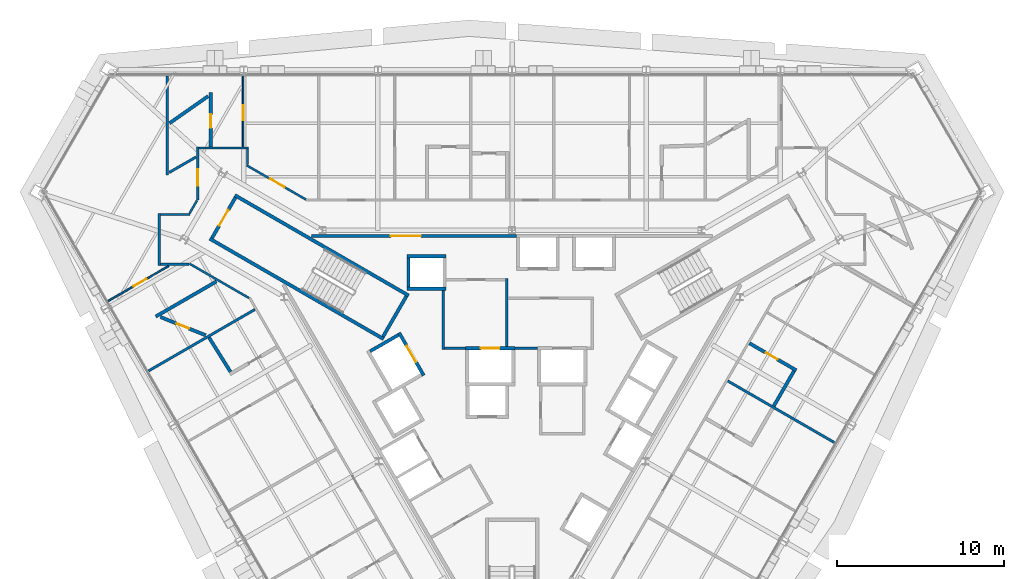
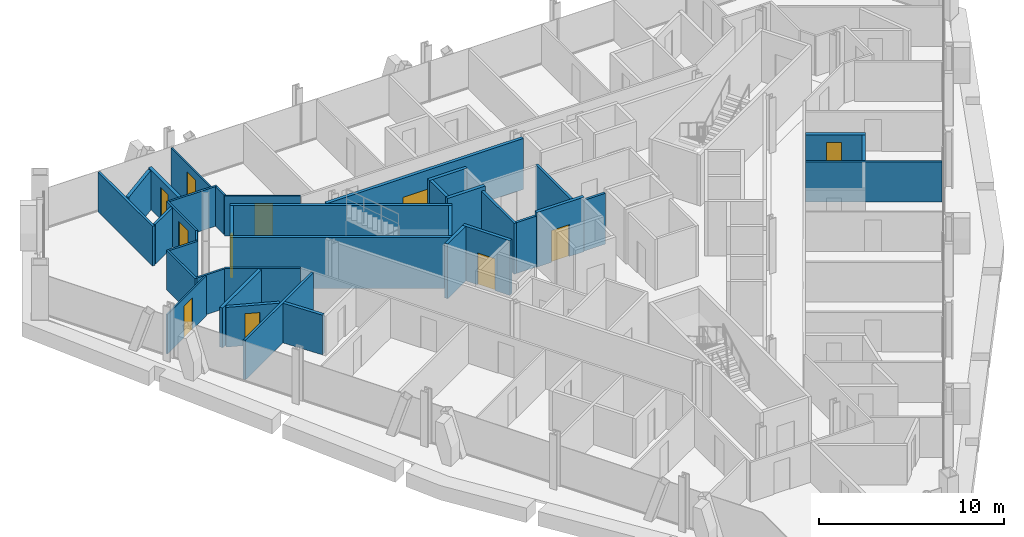
# One storey, part 12 of 16: 37 walls, 11 doors, 11 openings.
"""IFC4 building model written with IfcOpenShell, lengths in metres."""

from ifc_helpers import new_model, si_unit, direction, frame, frame_2d, origin, place, context, subcontext, project, spatial, rectangle, extrude, material, layer, layer_set, type_object, element, fill, save


model = new_model("IFC4")

# Units and contexts
model_context = context("Model", 3, precision=1e-05, world=origin(), true_north=direction((0.0, 1.0)))
body_context = subcontext(model_context, "Body", "Model", "MODEL_VIEW")
ifc_project = project(units=[si_unit("LENGTHUNIT", "METRE"), si_unit("AREAUNIT", "SQUARE_METRE"), si_unit("VOLUMEUNIT", "CUBIC_METRE"), si_unit("PLANEANGLEUNIT", "RADIAN"), si_unit("MASSUNIT", "GRAM", prefix="KILO")], contexts=[model_context])

# Site, building, storey
site_placement = place(None, origin())
site = spatial("IfcSite", under=ifc_project, at=site_placement, CompositionType="ELEMENT")
building_placement = place(site_placement, origin())
building = spatial("IfcBuilding", under=site, at=building_placement, Name="Verrane Prism Tower", CompositionType="ELEMENT")
storey_placement = place(building_placement, frame((0.0, 0.0, 110.800048828125)))
storey = spatial("IfcBuildingStorey", under=building, at=storey_placement, Name="L26", CompositionType="ELEMENT", Elevation=110.800048828125)

# Wall, opening, door
ifc_material_1 = material(Name="Gypsum board partition", Category="other")
ifc_layer_1 = layer(ifc_material_1, 0.199951171875)
ifc_layer_set_1 = layer_set([ifc_layer_1], Name="CW-200 core boundary wall 2 h")
wall_type_1 = type_object("IfcWallType", Name="CW-200 core boundary wall 2 h", PredefinedType="PARTITIONING", material=ifc_layer_set_1)
wall_1_placement = place(storey_placement, frame((0.262939453125, 8.860107421875, 0.0), z_axis=(0.0, 0.0, 1.0), x_axis=(-1.0, 0.0, 0.0)))
wall_1 = element("IfcWall", 1, at=wall_1_placement, inside=storey, type_object=wall_type_1, Name="Core boundary wall CW3-002", PredefinedType="PARTITIONING", context=body_context, shape_type="SweptSolid", body=[
    extrude(rectangle(XDim=12.25390625, YDim=0.199951171875, at=frame_2d((6.126953125, 0.0))), origin(), (0.0, 0.0, 1.0), 3.349853515625),
])
opening_1_placement = place(wall_1_placement, frame((5.708984375, 0.0, 0.0)))
opening_1 = element("IfcOpeningElement", 2, at=opening_1_placement, cuts=wall_1, Name="Opening D24511", PredefinedType="OPENING", context=body_context, shape_type="SweptSolid", body=[
    extrude(rectangle(XDim=1.800048828125, YDim=2.10009765625, at=frame_2d((0.89990234375, 1.050048828125))), frame((0.0, 0.10986328125, 0.0), z_axis=(0.0, -1.0, 0.0), x_axis=(1.0, 0.0, 0.0)), (0.0, 0.0, 1.0), 0.219970703125),
])
ifc_material_2 = material(Name="Timber veneered door leaf", Category="wood")
door_type_1 = type_object("IfcDoorType", Name="DR-1800x2100 FD60 double leaf lift lobby", OperationType="NOTDEFINED", PredefinedType="DOOR", material=ifc_material_2)
door_1_placement = place(opening_1_placement, origin())
door_1 = element("IfcDoor", 3, at=door_1_placement, inside=storey, type_object=door_type_1, Name="Lift lobby door D24511", OperationType="DOUBLE_DOOR_SINGLE_SWING", OverallHeight=2.10009765625, OverallWidth=1.800048828125, PredefinedType="DOOR", context=body_context, shape_type="SweptSolid", body=[
    extrude(rectangle(XDim=1.800048828125, YDim=2.10009765625, at=frame_2d((0.89990234375, 1.050048828125))), frame((0.0, 0.02490234375, 0.0), z_axis=(0.0, -1.0, 0.0), x_axis=(1.0, 0.0, 0.0)), (0.0, 0.0, 1.0), 0.050048828125),
])
fill(opening_1, door_1)

ifc_material_3 = material(Name="Concrete C40/50", Category="concrete")
ifc_layer_2 = layer(ifc_material_3, 0.199951171875)
ifc_layer_set_2 = layer_set([ifc_layer_2], Name="CW-200 stair core wall concrete C40/50 3 h")
wall_type_2 = type_object("IfcWallType", Name="CW-200 stair core wall concrete C40/50 3 h", PredefinedType="PARTITIONING", material=ifc_layer_set_2)
wall_2_placement = place(storey_placement, frame((-16.533935546875, 11.162353515625, 0.0), z_axis=(0.0, 0.0, 1.0), x_axis=(-0.49998411664, -0.866034573852, 0.0)))
wall_2 = element("IfcWall", 4, at=wall_2_placement, inside=storey, type_object=wall_type_2, Name="Stair 2 enclosure wall", PredefinedType="PARTITIONING", context=body_context, shape_type="SweptSolid", body=[
    extrude(rectangle(XDim=2.7998046875, YDim=0.199951171875, at=frame_2d((1.39990234375, 0.0))), origin(), (0.0, 0.0, 1.0), 3.349853515625),
])
opening_2_placement = place(wall_2_placement, frame((0.849853515625, 0.0, 0.0)))
opening_2 = element("IfcOpeningElement", 5, at=opening_2_placement, cuts=wall_2, Name="Opening D24501", PredefinedType="OPENING", context=body_context, shape_type="SweptSolid", body=[
    extrude(rectangle(XDim=1.10009765625, YDim=2.10009765625, at=frame_2d((0.550048828125, 1.050048828125))), frame((0.0, 0.10986328125, 0.0), z_axis=(0.0, -1.0, 0.0), x_axis=(1.0, 0.0, 0.0)), (0.0, 0.0, 1.0), 0.219970703125),
])
ifc_material_4 = material(Name="Timber veneered door leaf", Category="wood")
door_type_2 = type_object("IfcDoorType", Name="DR-1100x2100 FD90 single leaf stair", OperationType="NOTDEFINED", PredefinedType="DOOR", material=ifc_material_4)
door_2_placement = place(opening_2_placement, origin())
door_2 = element("IfcDoor", 6, at=door_2_placement, inside=storey, type_object=door_type_2, Name="Stair 2 door", OperationType="SINGLE_SWING_RIGHT", OverallHeight=2.10009765625, OverallWidth=1.10009765625, PredefinedType="DOOR", context=body_context, shape_type="SweptSolid", body=[
    extrude(rectangle(XDim=1.10009765625, YDim=2.10009765625, at=frame_2d((0.550048828125, 1.050048828125))), frame((0.0, 0.02490234375, 0.0), z_axis=(0.0, -1.0, 0.0), x_axis=(1.0, 0.0, 0.0)), (0.0, 0.0, 1.0), 0.050048828125),
])
fill(opening_2, door_2)

# Walls
for number, where, z_axis, x_axis, name in (
    (7, (-7.67822265625, 2.700927734375, 0.0), (0.0, 0.0, 1.0), (-0.866026010844, 0.49999894854, 0.0), "Stair 2 enclosure wall"),
    (8, (-6.17822265625, 5.299072265625, 0.0), (0.0, 0.0, 1.0), (-0.866026010844, 0.49999894854, 0.0), "Stair 2 enclosure wall"),
):
    element("IfcWall", number, at=place(storey_placement, frame(where, z_axis=z_axis, x_axis=x_axis)), inside=storey, type_object=wall_type_2, Name=name, PredefinedType="PARTITIONING", context=body_context, shape_type="SweptSolid", body=[
        extrude(rectangle(XDim=12.0, YDim=0.199951171875, at=frame_2d((6.0, 0.0))), origin(), (0.0, 0.0, 1.0), 3.349853515625),
    ])
wall_3_placement = place(storey_placement, frame((-6.314697265625, 5.262451171875, 0.0), z_axis=(0.0, 0.0, 1.0), x_axis=(-0.500049511043, -0.865996816683, 0.0)))
element("IfcWall", 9, at=wall_3_placement, inside=storey, type_object=wall_type_2, Name="Stair 2 enclosure wall", PredefinedType="PARTITIONING", context=body_context, shape_type="SweptSolid", body=[
    extrude(rectangle(XDim=2.800048828125, YDim=0.199951171875, at=frame_2d((1.39990234375, 0.0))), origin(), (0.0, 0.0, 1.0), 3.349853515625),
])

# Wall, opening, door
ifc_material_5 = material(Name="Gypsum board shaft wall assembly", Category="other")
ifc_layer_3 = layer(ifc_material_5, 0.199951171875)
ifc_layer_set_3 = layer_set([ifc_layer_3], Name="HW-200 lift shaft wall 2 h")
wall_type_3 = type_object("IfcWallType", Name="HW-200 lift shaft wall 2 h", PredefinedType="PARTITIONING", material=ifc_layer_set_3)
wall_4_placement = place(storey_placement, frame((-2.784912109375, 2.14990234375, 0.0), z_axis=(0.0, 0.0, 1.0), x_axis=(1.0, 0.0, 0.0)))
wall_4 = element("IfcWall", 10, at=wall_4_placement, inside=storey, type_object=wall_type_3, Name="Lift shaft wall", PredefinedType="PARTITIONING", context=body_context, shape_type="SweptSolid", body=[
    extrude(rectangle(XDim=2.949951171875, YDim=0.199951171875, at=frame_2d((1.47509765625, 0.0))), origin(), (0.0, 0.0, 1.0), 3.599853515625),
])
opening_3_placement = place(wall_4_placement, frame((0.925048828125, 0.0, 0.0)))
opening_3 = element("IfcOpeningElement", 11, at=opening_3_placement, cuts=wall_4, Name="Opening D24508", PredefinedType="OPENING", context=body_context, shape_type="SweptSolid", body=[
    extrude(rectangle(XDim=1.10009765625, YDim=2.10009765625, at=frame_2d((0.550048828125, 1.050048828125))), frame((0.0, 0.10986328125, 0.0), z_axis=(0.0, -1.0, 0.0), x_axis=(1.0, 0.0, 0.0)), (0.0, 0.0, 1.0), 0.219970703125),
])
ifc_material_6 = material(Name="Stainless steel sliding landing door", Category="steel")
door_type_3 = type_object("IfcDoorType", Name="LD-1100x2100 lift landing door FD90 sliding", OperationType="NOTDEFINED", PredefinedType="DOOR", material=ifc_material_6)
door_3_placement = place(opening_3_placement, origin())
door_3 = element("IfcDoor", 12, at=door_3_placement, inside=storey, type_object=door_type_3, Name="Fire service lift 1 landing door", OperationType="SLIDING_TO_LEFT", OverallHeight=2.10009765625, OverallWidth=1.10009765625, PredefinedType="DOOR", context=body_context, shape_type="SweptSolid", body=[
    extrude(rectangle(XDim=1.10009765625, YDim=2.10009765625, at=frame_2d((0.550048828125, 1.050048828125))), frame((0.0, 0.02490234375, 0.0), z_axis=(0.0, -1.0, 0.0), x_axis=(1.0, 0.0, 0.0)), (0.0, 0.0, 1.0), 0.050048828125),
])
fill(opening_3, door_3)

# Walls
for number, where, z_axis, x_axis, name in (
    (13, (-6.284912109375, 5.7099609375, 0.0), (0.0, 0.0, 1.0), (1.0, 0.0, 0.0), "Lift shaft wall"),
    (14, (-6.284912109375, 7.659912109375, 0.0), (0.0, 0.0, 1.0), (1.0, 0.0, 0.0), "Lift shaft wall"),
):
    element("IfcWall", number, at=place(storey_placement, frame(where, z_axis=z_axis, x_axis=x_axis)), inside=storey, type_object=wall_type_3, Name=name, PredefinedType="PARTITIONING", context=body_context, shape_type="SweptSolid", body=[
        extrude(rectangle(XDim=2.349853515625, YDim=0.199951171875, at=frame_2d((1.1748046875, 0.0))), origin(), (0.0, 0.0, 1.0), 3.599853515625),
    ])
wall_5_placement = place(storey_placement, frame((-8.48046875, 1.968505859375, 0.0), z_axis=(0.0, 0.0, 1.0), x_axis=(0.866000020948, 0.500043961785, 0.0)))
element("IfcWall", 15, at=wall_5_placement, inside=storey, type_object=wall_type_3, Name="Lift shaft wall", PredefinedType="PARTITIONING", context=body_context, shape_type="SweptSolid", body=[
    extrude(rectangle(XDim=1.949951171875, YDim=0.199951171875, at=frame_2d((0.97509765625, 0.0))), origin(), (0.0, 0.0, 1.0), 3.599853515625),
])
wall_6_placement = place(storey_placement, frame((-6.18505859375, 5.81005859375, 0.0), z_axis=(0.0, 0.0, 1.0), x_axis=(0.0, 1.0, 0.0)))
element("IfcWall", 16, at=wall_6_placement, inside=storey, type_object=wall_type_3, Name="Lift shaft wall", PredefinedType="PARTITIONING", context=body_context, shape_type="SweptSolid", body=[
    extrude(rectangle(XDim=1.75, YDim=0.199951171875, at=frame_2d((0.875, 0.0))), origin(), (0.0, 0.0, 1.0), 3.599853515625),
])

# Wall, opening, door
wall_7_placement = place(storey_placement, frame((-5.280029296875, 0.525390625, 0.0), z_axis=(0.0, 0.0, 1.0), x_axis=(-0.500037662692, 0.866003658127, 0.0)))
wall_7 = element("IfcWall", 17, at=wall_7_placement, inside=storey, type_object=wall_type_3, Name="Lift shaft wall", PredefinedType="PARTITIONING", context=body_context, shape_type="SweptSolid", body=[
    extrude(rectangle(XDim=2.949951171875, YDim=0.199951171875, at=frame_2d((1.47509765625, 0.0))), origin(), (0.0, 0.0, 1.0), 3.599853515625),
])
opening_4_placement = place(wall_7_placement, frame((0.925048828125, 0.0, 0.0)))
opening_4 = element("IfcOpeningElement", 18, at=opening_4_placement, cuts=wall_7, Name="Opening D24510", PredefinedType="OPENING", context=body_context, shape_type="SweptSolid", body=[
    extrude(rectangle(XDim=1.10009765625, YDim=2.10009765625, at=frame_2d((0.550048828125, 1.050048828125))), frame((0.0, 0.10986328125, 0.0), z_axis=(0.0, -1.0, 0.0), x_axis=(1.0, 0.0, 0.0)), (0.0, 0.0, 1.0), 0.219970703125),
])
door_4_placement = place(opening_4_placement, origin())
door_4 = element("IfcDoor", 19, at=door_4_placement, inside=storey, type_object=door_type_3, Name="Service lift 1 landing door", OperationType="SLIDING_TO_LEFT", OverallHeight=2.10009765625, OverallWidth=1.10009765625, PredefinedType="DOOR", context=body_context, shape_type="SweptSolid", body=[
    extrude(rectangle(XDim=1.10009765625, YDim=2.10009765625, at=frame_2d((0.550048828125, 1.050048828125))), frame((0.0, 0.02490234375, 0.0), z_axis=(0.0, -1.0, 0.0), x_axis=(1.0, 0.0, 0.0)), (0.0, 0.0, 1.0), 0.050048828125),
])
fill(opening_4, door_4)

# Walls
ifc_material_7 = material(Name="Gypsum board partition", Category="other")
ifc_layer_4 = layer(ifc_material_7, 0.14990234375)
ifc_layer_set_4 = layer_set([ifc_layer_4], Name="LF-150 firefighting lobby wall 1 h")
wall_type_4 = type_object("IfcWallType", Name="LF-150 firefighting lobby wall 1 h", PredefinedType="PARTITIONING", material=ifc_layer_set_4)
wall_8_placement = place(storey_placement, frame((-4.10009765625, 2.0849609375, 0.0), z_axis=(0.0, 0.0, 1.0), x_axis=(0.0, 1.0, 0.0)))
element("IfcWall", 20, at=wall_8_placement, inside=storey, type_object=wall_type_4, Name="Firefighting lobby wall LF1-001", PredefinedType="PARTITIONING", context=body_context, shape_type="SweptSolid", body=[
    extrude(rectangle(XDim=3.52294921875, YDim=0.14990234375, at=frame_2d((1.761474609375, 0.0))), origin(), (0.0, 0.0, 1.0), 3.349853515625),
])
wall_9_placement = place(storey_placement, frame((-4.02490234375, 2.159912109375, 0.0), z_axis=(0.0, 0.0, 1.0), x_axis=(1.0, 0.0, 0.0)))
element("IfcWall", 21, at=wall_9_placement, inside=storey, type_object=wall_type_4, Name="Firefighting lobby wall LF1-002", PredefinedType="PARTITIONING", context=body_context, shape_type="SweptSolid", body=[
    extrude(rectangle(XDim=1.23779296875, YDim=0.14990234375, at=frame_2d((0.618896484375, 0.0))), origin(), (0.0, 0.0, 1.0), 3.349853515625),
])
wall_10_placement = place(storey_placement, frame((-0.320068359375, 2.251953125, 0.0), z_axis=(0.0, 0.0, 1.0), x_axis=(0.0, 1.0, 0.0)))
element("IfcWall", 22, at=wall_10_placement, inside=storey, type_object=wall_type_4, Name="Firefighting lobby wall LF1-004", PredefinedType="PARTITIONING", context=body_context, shape_type="SweptSolid", body=[
    extrude(rectangle(XDim=4.06298828125, YDim=0.14990234375, at=frame_2d((2.031494140625, 0.0))), origin(), (0.0, 0.0, 1.0), 3.349853515625),
])
wall_11_placement = place(storey_placement, frame((0.1669921875, 2.159912109375, 0.0), z_axis=(0.0, 0.0, 1.0), x_axis=(1.0, 0.0, 0.0)))
element("IfcWall", 23, at=wall_11_placement, inside=storey, type_object=wall_type_4, Name="Firefighting lobby wall LF1-006", PredefinedType="PARTITIONING", context=body_context, shape_type="SweptSolid", body=[
    extrude(rectangle(XDim=1.35595703125, YDim=0.14990234375, at=frame_2d((0.677978515625, 0.0))), origin(), (0.0, 0.0, 1.0), 3.349853515625),
])

# Wall, opening, door
ifc_material_8 = material(Name="Gypsum board partition", Category="other")
ifc_layer_5 = layer(ifc_material_8, 0.10009765625)
ifc_layer_set_5 = layer_set([ifc_layer_5], Name="PW-100 room partition")
wall_type_5 = type_object("IfcWallType", Name="PW-100 room partition", PredefinedType="PARTITIONING", material=ifc_layer_set_5)
wall_12_placement = place(storey_placement, frame((-20.521240234375, 7.067138671875, 0.0), z_axis=(0.0, 0.0, 1.0), x_axis=(-0.866025950195, -0.499999053588, 0.0)))
wall_12 = element("IfcWall", 24, at=wall_12_placement, inside=storey, type_object=wall_type_5, Name="Room partition 001", PredefinedType="PARTITIONING", context=body_context, shape_type="SweptSolid", body=[
    extrude(rectangle(XDim=4.1767578125, YDim=0.10009765625, at=frame_2d((2.08837890625, 0.0))), origin(), (0.0, 0.0, 1.0), 2.613037109375),
])
opening_5_placement = place(wall_12_placement, frame((1.522216796875, 0.0, 0.0)))
opening_5 = element("IfcOpeningElement", 25, at=opening_5_placement, cuts=wall_12, Name="Opening D24029", PredefinedType="OPENING", context=body_context, shape_type="SweptSolid", body=[
    extrude(rectangle(XDim=0.89990234375, YDim=2.10009765625, at=frame_2d((0.449951171875, 1.050048828125))), frame((0.0, 0.06005859375, 0.0), z_axis=(0.0, -1.0, 0.0), x_axis=(1.0, 0.0, 0.0)), (0.0, 0.0, 1.0), 0.1201171875),
])
ifc_material_9 = material(Name="Timber veneered door leaf", Category="wood")
door_type_4 = type_object("IfcDoorType", Name="DR-900x2100 single leaf inner", OperationType="NOTDEFINED", PredefinedType="DOOR", material=ifc_material_9)
door_5_placement = place(opening_5_placement, origin())
door_5 = element("IfcDoor", 26, at=door_5_placement, inside=storey, type_object=door_type_4, Name="Suite Living Room door", OperationType="SINGLE_SWING_RIGHT", OverallHeight=2.10009765625, OverallWidth=0.89990234375, PredefinedType="DOOR", context=body_context, shape_type="SweptSolid", body=[
    extrude(rectangle(XDim=0.89990234375, YDim=2.10009765625, at=frame_2d((0.449951171875, 1.050048828125))), frame((0.0, 0.02490234375, 0.0), z_axis=(0.0, -1.0, 0.0), x_axis=(1.0, 0.0, 0.0)), (0.0, 0.0, 1.0), 0.050048828125),
])
fill(opening_5, door_5)

wall_13_placement = place(storey_placement, frame((-16.074951171875, 14.189453125, 0.0), z_axis=(0.0, 0.0, 1.0), x_axis=(0.0, 1.0, 0.0)))
wall_13 = element("IfcWall", 27, at=wall_13_placement, inside=storey, type_object=wall_type_5, Name="Room partition 020", PredefinedType="PARTITIONING", context=body_context, shape_type="SweptSolid", body=[
    extrude(rectangle(XDim=4.2255859375, YDim=0.10009765625, at=frame_2d((2.11279296875, 0.0))), origin(), (0.0, 0.0, 1.0), 2.613037109375),
])
opening_6_placement = place(wall_13_placement, frame((1.58740234375, 0.0, 0.0)))
opening_6 = element("IfcOpeningElement", 28, at=opening_6_placement, cuts=wall_13, Name="Opening D24026", PredefinedType="OPENING", context=body_context, shape_type="SweptSolid", body=[
    extrude(rectangle(XDim=0.89990234375, YDim=2.10009765625, at=frame_2d((0.449951171875, 1.050048828125))), frame((0.0, 0.06005859375, 0.0), z_axis=(0.0, -1.0, 0.0), x_axis=(1.0, 0.0, 0.0)), (0.0, 0.0, 1.0), 0.1201171875),
])
door_6_placement = place(opening_6_placement, origin())
door_6 = element("IfcDoor", 29, at=door_6_placement, inside=storey, type_object=door_type_4, Name="Suite Living Room door", OperationType="SINGLE_SWING_RIGHT", OverallHeight=2.10009765625, OverallWidth=0.89990234375, PredefinedType="DOOR", context=body_context, shape_type="SweptSolid", body=[
    extrude(rectangle(XDim=0.89990234375, YDim=2.10009765625, at=frame_2d((0.449951171875, 1.050048828125))), frame((0.0, 0.02490234375, 0.0), z_axis=(0.0, -1.0, 0.0), x_axis=(1.0, 0.0, 0.0)), (0.0, 0.0, 1.0), 0.050048828125),
])
fill(opening_6, door_6)

# Walls
ifc_material_10 = material(Name="Gypsum board partition", Category="other")
ifc_layer_6 = layer(ifc_material_10, 0.125)
ifc_layer_set_6 = layer_set([ifc_layer_6], Name="PW-125 corridor wall 1 h")
wall_type_6 = type_object("IfcWallType", Name="PW-125 corridor wall 1 h", PredefinedType="PARTITIONING", material=ifc_layer_set_6)
wall_14_placement = place(storey_placement, frame((-21.0869140625, 7.110595703125, 0.0), z_axis=(0.0, 0.0, 1.0), x_axis=(0.0, 1.0, 0.0)))
element("IfcWall", 30, at=wall_14_placement, inside=storey, type_object=wall_type_6, Name="Corridor wall 005", PredefinedType="PARTITIONING", context=body_context, shape_type="SweptSolid", body=[
    extrude(rectangle(XDim=3.098876953125, YDim=0.125, at=frame_2d((1.54931640625, 0.0))), origin(), (0.0, 0.0, 1.0), 2.613037109375),
])
wall_15_placement = place(storey_placement, frame((-21.02197265625, 7.173095703125, 0.0), z_axis=(0.0, 0.0, 1.0), x_axis=(1.0, 0.0, 0.0)))
element("IfcWall", 31, at=wall_15_placement, inside=storey, type_object=wall_type_6, Name="Corridor wall 006", PredefinedType="PARTITIONING", context=body_context, shape_type="SweptSolid", body=[
    extrude(rectangle(XDim=1.712890625, YDim=0.125, at=frame_2d((0.8564453125, 0.0))), origin(), (0.0, 0.0, 1.0), 2.613037109375),
])
wall_16_placement = place(storey_placement, frame((-21.02197265625, 10.14697265625, 0.0), z_axis=(0.0, 0.0, 1.0), x_axis=(1.0, 0.0, 0.0)))
element("IfcWall", 32, at=wall_16_placement, inside=storey, type_object=wall_type_6, Name="Corridor wall 007", PredefinedType="PARTITIONING", context=body_context, shape_type="SweptSolid", body=[
    extrude(rectangle(XDim=1.7705078125, YDim=0.125, at=frame_2d((0.88525390625, 0.0))), origin(), (0.0, 0.0, 1.0), 2.613037109375),
])
wall_17_placement = place(storey_placement, frame((-19.271484375, 10.220703125, 0.0), z_axis=(0.0, 0.0, 1.0), x_axis=(0.499881837328, 0.866093614288, 0.0)))
element("IfcWall", 33, at=wall_17_placement, inside=storey, type_object=wall_type_6, Name="Corridor wall 011", PredefinedType="PARTITIONING", context=body_context, shape_type="SweptSolid", body=[
    extrude(rectangle(XDim=0.884033203125, YDim=0.125, at=frame_2d((0.44189453125, 0.0))), origin(), (0.0, 0.0, 1.0), 2.613037109375),
])
wall_18_placement = place(storey_placement, frame((-19.278076171875, 7.204345703125, 0.0), z_axis=(0.0, 0.0, 1.0), x_axis=(0.865992261418, -0.50005739987, 0.0)))
element("IfcWall", 34, at=wall_18_placement, inside=storey, type_object=wall_type_6, Name="Corridor wall 013", PredefinedType="PARTITIONING", context=body_context, shape_type="SweptSolid", body=[
    extrude(rectangle(XDim=4.10107421875, YDim=0.125, at=frame_2d((2.050537109375, 0.0))), origin(), (0.0, 0.0, 1.0), 2.613037109375),
])

# Wall, opening, door
wall_19_placement = place(storey_placement, frame((-18.787109375, 10.99755859375, 0.0), z_axis=(0.0, 0.0, 1.0), x_axis=(0.0, 1.0, 0.0)))
wall_19 = element("IfcWall", 35, at=wall_19_placement, inside=storey, type_object=wall_type_6, Name="Corridor wall 014", PredefinedType="PARTITIONING", context=body_context, shape_type="SweptSolid", body=[
    extrude(rectangle(XDim=3.19189453125, YDim=0.125, at=frame_2d((1.595947265625, 0.0))), origin(), (0.0, 0.0, 1.0), 2.613037109375),
])
opening_7_placement = place(wall_19_placement, frame((0.862548828125, 0.0, 0.0)))
opening_7 = element("IfcOpeningElement", 36, at=opening_7_placement, cuts=wall_19, Name="Opening D24028", PredefinedType="OPENING", context=body_context, shape_type="SweptSolid", body=[
    extrude(rectangle(XDim=1.0, YDim=2.10009765625, at=frame_2d((0.5, 1.050048828125))), frame((0.0, 0.072509765625, 0.0), z_axis=(0.0, -1.0, 0.0), x_axis=(1.0, 0.0, 0.0)), (0.0, 0.0, 1.0), 0.14501953125),
])
ifc_material_11 = material(Name="Timber veneered door leaf", Category="wood")
door_type_5 = type_object("IfcDoorType", Name="DR-1000x2100 FD20 single leaf unit", OperationType="NOTDEFINED", PredefinedType="DOOR", material=ifc_material_11)
door_7_placement = place(opening_7_placement, origin())
door_7 = element("IfcDoor", 37, at=door_7_placement, inside=storey, type_object=door_type_5, Name="Suite Living Room door", OperationType="SINGLE_SWING_RIGHT", OverallHeight=2.10009765625, OverallWidth=1.0, PredefinedType="DOOR", context=body_context, shape_type="SweptSolid", body=[
    extrude(rectangle(XDim=1.0, YDim=2.10009765625, at=frame_2d((0.5, 1.050048828125))), frame((0.0, 0.02490234375, 0.0), z_axis=(0.0, -1.0, 0.0), x_axis=(1.0, 0.0, 0.0)), (0.0, 0.0, 1.0), 0.050048828125),
])
fill(opening_7, door_7)

# Walls
wall_20_placement = place(storey_placement, frame((-18.721923828125, 14.126953125, 0.0), z_axis=(0.0, 0.0, 1.0), x_axis=(1.0, 0.0, 0.0)))
element("IfcWall", 38, at=wall_20_placement, inside=storey, type_object=wall_type_6, Name="Corridor wall 015", PredefinedType="PARTITIONING", context=body_context, shape_type="SweptSolid", body=[
    extrude(rectangle(XDim=2.971435546875, YDim=0.125, at=frame_2d((1.48583984375, 0.0))), origin(), (0.0, 0.0, 1.0), 2.613037109375),
])
wall_21_placement = place(storey_placement, frame((-15.81298828125, 13.139892578125, 0.0), z_axis=(0.0, 0.0, 1.0), x_axis=(0.0, 1.0, 0.0)))
element("IfcWall", 39, at=wall_21_placement, inside=storey, type_object=wall_type_6, Name="Corridor wall 021", PredefinedType="PARTITIONING", context=body_context, shape_type="SweptSolid", body=[
    extrude(rectangle(XDim=0.922119140625, YDim=0.125, at=frame_2d((0.4609375, 0.0))), origin(), (0.0, 0.0, 1.0), 2.613037109375),
])

# Wall, opening, door
wall_22_placement = place(storey_placement, frame((-15.8671875, 13.086181640625, 0.0), z_axis=(0.0, 0.0, 1.0), x_axis=(0.866070231021, -0.499922348909, 0.0)))
wall_22 = element("IfcWall", 40, at=wall_22_placement, inside=storey, type_object=wall_type_6, Name="Corridor wall 022", PredefinedType="PARTITIONING", context=body_context, shape_type="SweptSolid", body=[
    extrude(rectangle(XDim=4.088134765625, YDim=0.125, at=frame_2d((2.0439453125, 0.0))), origin(), (0.0, 0.0, 1.0), 2.613037109375),
])
opening_8_placement = place(wall_22_placement, frame((1.612548828125, 0.0, 0.0)))
opening_8 = element("IfcOpeningElement", 41, at=opening_8_placement, cuts=wall_22, Name="Opening D24025", PredefinedType="OPENING", context=body_context, shape_type="SweptSolid", body=[
    extrude(rectangle(XDim=1.0, YDim=2.10009765625, at=frame_2d((0.5, 1.050048828125))), frame((0.0, 0.072509765625, 0.0), z_axis=(0.0, -1.0, 0.0), x_axis=(1.0, 0.0, 0.0)), (0.0, 0.0, 1.0), 0.14501953125),
])
door_8_placement = place(opening_8_placement, origin())
door_8 = element("IfcDoor", 42, at=door_8_placement, inside=storey, type_object=door_type_5, Name="Suite Living Room door", OperationType="SINGLE_SWING_LEFT", OverallHeight=2.10009765625, OverallWidth=1.0, PredefinedType="DOOR", context=body_context, shape_type="SweptSolid", body=[
    extrude(rectangle(XDim=1.0, YDim=2.10009765625, at=frame_2d((0.5, 1.050048828125))), frame((0.0, 0.02490234375, 0.0), z_axis=(0.0, -1.0, 0.0), x_axis=(1.0, 0.0, 0.0)), (0.0, 0.0, 1.0), 0.050048828125),
])
fill(opening_8, door_8)

# Walls
ifc_material_12 = material(Name="Gypsum board partition", Category="other")
ifc_layer_7 = layer(ifc_material_12, 0.14990234375)
ifc_layer_set_7 = layer_set([ifc_layer_7], Name="PW-150 demising wall 1 h")
wall_type_7 = type_object("IfcWallType", Name="PW-150 demising wall 1 h", PredefinedType="PARTITIONING", material=ifc_layer_set_7)
wall_23_placement = place(storey_placement, frame((-21.724609375, 0.798095703125, 0.0), z_axis=(0.0, 0.0, 1.0), x_axis=(0.866003534372, 0.50003787702, 0.0)))
element("IfcWall", 43, at=wall_23_placement, inside=storey, type_object=wall_type_7, Name="Demising wall 002", PredefinedType="PARTITIONING", context=body_context, shape_type="SweptSolid", body=[
    extrude(rectangle(XDim=7.34765625, YDim=0.14990234375, at=frame_2d((3.673828125, 0.0))), origin(), (0.0, 0.0, 1.0), 2.613037109375),
])
wall_24_placement = place(storey_placement, frame((-20.60693359375, 12.51611328125, 0.0), z_axis=(0.0, 0.0, 1.0), x_axis=(0.0, 1.0, 0.0)))
element("IfcWall", 44, at=wall_24_placement, inside=storey, type_object=wall_type_7, Name="Demising wall 008", PredefinedType="PARTITIONING", context=body_context, shape_type="SweptSolid", body=[
    extrude(rectangle(XDim=5.89892578125, YDim=0.14990234375, at=frame_2d((2.949462890625, 0.0))), origin(), (0.0, 0.0, 1.0), 2.613037109375),
])
wall_25_placement = place(storey_placement, frame((-20.494384765625, 12.656005859375, 0.0), z_axis=(0.0, 0.0, 1.0), x_axis=(0.865984062371, 0.500071598593, 0.0)))
element("IfcWall", 45, at=wall_25_placement, inside=storey, type_object=wall_type_7, Name="Demising wall 009", PredefinedType="PARTITIONING", context=body_context, shape_type="SweptSolid", body=[
    extrude(rectangle(XDim=1.856201171875, YDim=0.14990234375, at=frame_2d((0.92822265625, 0.0))), origin(), (0.0, 0.0, 1.0), 2.613037109375),
])
wall_26_placement = place(storey_placement, frame((12.892578125, 0.1953125, 0.0), z_axis=(0.0, 0.0, 1.0), x_axis=(0.865995225926, -0.500052265941, 0.0)))
element("IfcWall", 46, at=wall_26_placement, inside=storey, type_object=wall_type_7, Name="Demising wall 064", PredefinedType="PARTITIONING", context=body_context, shape_type="SweptSolid", body=[
    extrude(rectangle(XDim=7.347412109375, YDim=0.14990234375, at=frame_2d((3.673828125, 0.0))), origin(), (0.0, 0.0, 1.0), 2.613037109375),
])

# Wall, opening, door
ifc_material_13 = material(Name="Gypsum board partition", Category="other")
ifc_layer_8 = layer(ifc_material_13, 0.199951171875)
ifc_layer_set_8 = layer_set([ifc_layer_8], Name="PW-200 plumbing wall")
wall_type_8 = type_object("IfcWallType", Name="PW-200 plumbing wall", PredefinedType="PARTITIONING", material=ifc_layer_set_8)
wall_27_placement = place(storey_placement, frame((-21.02099609375, 4.02001953125, 0.0), z_axis=(0.0, 0.0, 1.0), x_axis=(0.927010502524, -0.375035369278, 0.0)))
wall_27 = element("IfcWall", 47, at=wall_27_placement, inside=storey, type_object=wall_type_8, Name="Plumbing wall 003", PredefinedType="PARTITIONING", context=body_context, shape_type="SweptSolid", body=[
    extrude(rectangle(XDim=2.919677734375, YDim=0.199951171875, at=frame_2d((1.4599609375, 0.0))), origin(), (0.0, 0.0, 1.0), 2.613037109375),
])
opening_9_placement = place(wall_27_placement, frame((1.044921875, 0.0, 0.0)))
opening_9 = element("IfcOpeningElement", 48, at=opening_9_placement, cuts=wall_27, Name="Opening D24030", PredefinedType="OPENING", context=body_context, shape_type="SweptSolid", body=[
    extrude(rectangle(XDim=0.800048828125, YDim=2.10009765625, at=frame_2d((0.39990234375, 1.050048828125))), frame((0.0, 0.10986328125, 0.0), z_axis=(0.0, -1.0, 0.0), x_axis=(1.0, 0.0, 0.0)), (0.0, 0.0, 1.0), 0.219970703125),
])
ifc_material_14 = material(Name="Timber veneered door leaf", Category="wood")
door_type_6 = type_object("IfcDoorType", Name="DR-800x2100 single leaf bath", OperationType="NOTDEFINED", PredefinedType="DOOR", material=ifc_material_14)
door_9_placement = place(opening_9_placement, origin())
door_9 = element("IfcDoor", 49, at=door_9_placement, inside=storey, type_object=door_type_6, Name="En-Suite door", OperationType="SINGLE_SWING_RIGHT", OverallHeight=2.10009765625, OverallWidth=0.800048828125, PredefinedType="DOOR", context=body_context, shape_type="SweptSolid", body=[
    extrude(rectangle(XDim=0.800048828125, YDim=2.10009765625, at=frame_2d((0.39990234375, 1.050048828125))), frame((0.0, 0.02490234375, 0.0), z_axis=(0.0, -1.0, 0.0), x_axis=(1.0, 0.0, 0.0)), (0.0, 0.0, 1.0), 0.050048828125),
])
fill(opening_9, door_9)

# Walls
wall_28_placement = place(storey_placement, frame((-21.297607421875, 4.046875, 0.0), z_axis=(0.0, 0.0, 1.0), x_axis=(0.865948008923, 0.500134027879, 0.0)))
element("IfcWall", 50, at=wall_28_placement, inside=storey, type_object=wall_type_8, Name="Plumbing wall 004", PredefinedType="PARTITIONING", context=body_context, shape_type="SweptSolid", body=[
    extrude(rectangle(XDim=4.193115234375, YDim=0.199951171875, at=frame_2d((2.0966796875, 0.0))), origin(), (0.0, 0.0, 1.0), 2.613037109375),
])
wall_29_placement = place(storey_placement, frame((-20.474609375, 15.599609375, 0.0), z_axis=(0.0, 0.0, 1.0), x_axis=(0.819231920519, 0.573462344363, 0.0)))
element("IfcWall", 51, at=wall_29_placement, inside=storey, type_object=wall_type_8, Name="Plumbing wall 010", PredefinedType="PARTITIONING", context=body_context, shape_type="SweptSolid", body=[
    extrude(rectangle(XDim=2.822265625, YDim=0.199951171875, at=frame_2d((1.4111328125, 0.0))), origin(), (0.0, 0.0, 1.0), 2.613037109375),
])
wall_30_placement = place(storey_placement, frame((-18.1123046875, 2.79345703125, 0.0), z_axis=(0.0, 0.0, 1.0), x_axis=(0.530334606404, -0.847788420097, 0.0)))
element("IfcWall", 52, at=wall_30_placement, inside=storey, type_object=wall_type_8, Name="Plumbing wall 016", PredefinedType="PARTITIONING", context=body_context, shape_type="SweptSolid", body=[
    extrude(rectangle(XDim=2.418701171875, YDim=0.199951171875, at=frame_2d((1.20947265625, 0.0))), origin(), (0.0, 0.0, 1.0), 2.613037109375),
])

# Wall, opening, door
wall_31_placement = place(storey_placement, frame((-18.007080078125, 14.189453125, 0.0), z_axis=(0.0, 0.0, 1.0), x_axis=(0.0, 1.0, 0.0)))
wall_31 = element("IfcWall", 53, at=wall_31_placement, inside=storey, type_object=wall_type_8, Name="Plumbing wall 017", PredefinedType="PARTITIONING", context=body_context, shape_type="SweptSolid", body=[
    extrude(rectangle(XDim=3.237548828125, YDim=0.199951171875, at=frame_2d((1.61865234375, 0.0))), origin(), (0.0, 0.0, 1.0), 2.613037109375),
])
opening_10_placement = place(wall_31_placement, frame((1.137451171875, 0.0, 0.0)))
opening_10 = element("IfcOpeningElement", 54, at=opening_10_placement, cuts=wall_31, Name="Opening D24027", PredefinedType="OPENING", context=body_context, shape_type="SweptSolid", body=[
    extrude(rectangle(XDim=0.800048828125, YDim=2.10009765625, at=frame_2d((0.39990234375, 1.050048828125))), frame((0.0, 0.10986328125, 0.0), z_axis=(0.0, -1.0, 0.0), x_axis=(1.0, 0.0, 0.0)), (0.0, 0.0, 1.0), 0.219970703125),
])
door_10_placement = place(opening_10_placement, origin())
door_10 = element("IfcDoor", 55, at=door_10_placement, inside=storey, type_object=door_type_6, Name="En-Suite door", OperationType="SINGLE_SWING_LEFT", OverallHeight=2.10009765625, OverallWidth=0.800048828125, PredefinedType="DOOR", context=body_context, shape_type="SweptSolid", body=[
    extrude(rectangle(XDim=0.800048828125, YDim=2.10009765625, at=frame_2d((0.39990234375, 1.050048828125))), frame((0.0, 0.02490234375, 0.0), z_axis=(0.0, -1.0, 0.0), x_axis=(1.0, 0.0, 0.0)), (0.0, 0.0, 1.0), 0.050048828125),
])
fill(opening_10, door_10)

wall_32_placement = place(storey_placement, frame((16.99169921875, 0.8310546875, 0.0), z_axis=(0.0, 0.0, 1.0), x_axis=(-0.866022073929, 0.500005767435, 0.0)))
wall_32 = element("IfcWall", 56, at=wall_32_placement, inside=storey, type_object=wall_type_8, Name="Plumbing wall 065", PredefinedType="PARTITIONING", context=body_context, shape_type="SweptSolid", body=[
    extrude(rectangle(XDim=3.232421875, YDim=0.199951171875, at=frame_2d((1.6162109375, 0.0))), origin(), (0.0, 0.0, 1.0), 2.613037109375),
])
opening_11_placement = place(wall_32_placement, frame((1.2998046875, 0.0, 0.0)))
opening_11 = element("IfcOpeningElement", 57, at=opening_11_placement, cuts=wall_32, Name="Opening D24011", PredefinedType="OPENING", context=body_context, shape_type="SweptSolid", body=[
    extrude(rectangle(XDim=0.800048828125, YDim=2.10009765625, at=frame_2d((0.39990234375, 1.050048828125))), frame((0.0, 0.10986328125, 0.0), z_axis=(0.0, -1.0, 0.0), x_axis=(1.0, 0.0, 0.0)), (0.0, 0.0, 1.0), 0.219970703125),
])
door_11_placement = place(opening_11_placement, origin())
door_11 = element("IfcDoor", 58, at=door_11_placement, inside=storey, type_object=door_type_6, Name="En-Suite door", OperationType="SINGLE_SWING_RIGHT", OverallHeight=2.10009765625, OverallWidth=0.800048828125, PredefinedType="DOOR", context=body_context, shape_type="SweptSolid", body=[
    extrude(rectangle(XDim=0.800048828125, YDim=2.10009765625, at=frame_2d((0.39990234375, 1.050048828125))), frame((0.0, 0.02490234375, 0.0), z_axis=(0.0, -1.0, 0.0), x_axis=(1.0, 0.0, 0.0)), (0.0, 0.0, 1.0), 0.050048828125),
])
fill(opening_11, door_11)

# Wall
wall_33_placement = place(storey_placement, frame((15.6455078125, -1.302001953125, 0.0), z_axis=(0.0, 0.0, 1.0), x_axis=(0.499719542643, 0.866187265377, 0.0)))
element("IfcWall", 59, at=wall_33_placement, inside=storey, type_object=wall_type_8, Name="Plumbing wall 069", PredefinedType="PARTITIONING", context=body_context, shape_type="SweptSolid", body=[
    extrude(rectangle(XDim=2.42041015625, YDim=0.199951171875, at=frame_2d((1.210205078125, 0.0))), origin(), (0.0, 0.0, 1.0), 2.613037109375),
])

save(model, "model.ifc")
